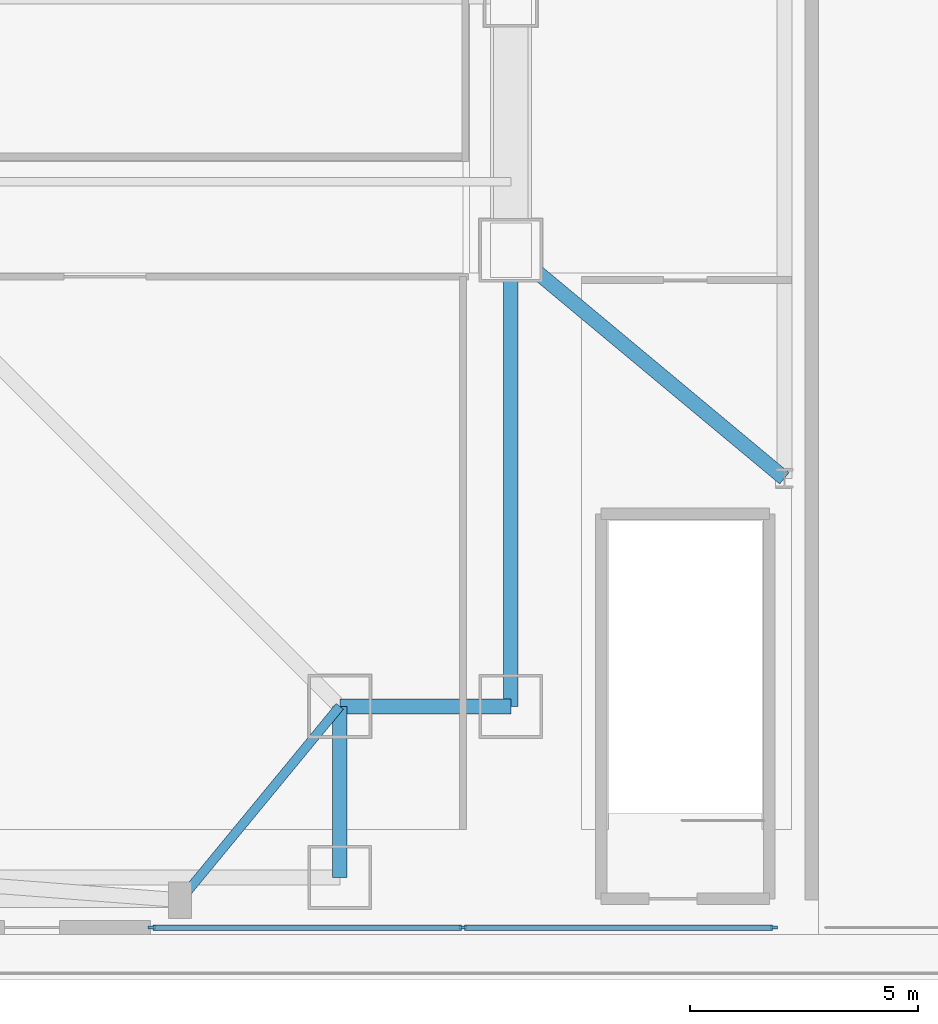
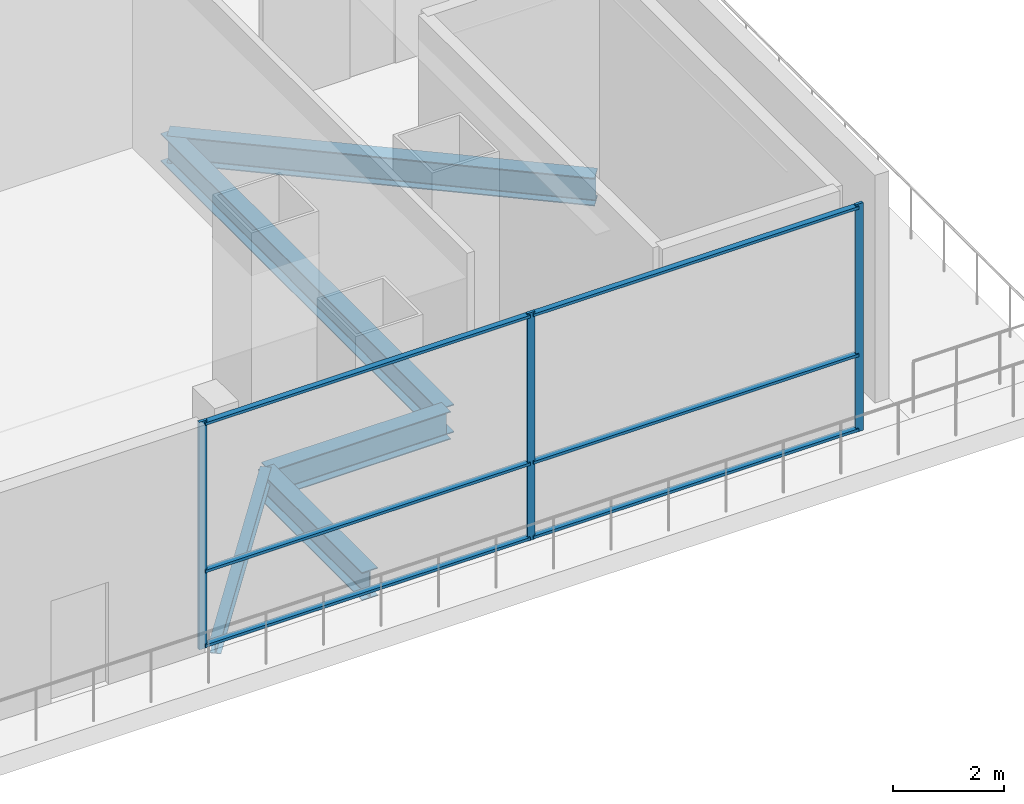
# One storey, part 5 of 21: 9 members, 5 beams, 1 element without a shape of its own.
"""IFC4 building model written with IfcOpenShell, lengths in metres."""

from ifc_helpers import new_model, si_unit, direction, frame, origin, origin_2d, place, context, subcontext, project, spatial, rectangle, i_section, extrude, material, layer, layer_set, material_profile, profile_set, type_object, element, aggregate, save


model = new_model("IFC4")

# Units and contexts
model_context = context("Model", 3, precision=1e-05, world=origin(), true_north=direction((0.0, 1.0)))
body_context = subcontext(model_context, "Body", "Model", "MODEL_VIEW")
ifc_project = project(units=[si_unit("LENGTHUNIT", "METRE"), si_unit("AREAUNIT", "SQUARE_METRE"), si_unit("VOLUMEUNIT", "CUBIC_METRE"), si_unit("PLANEANGLEUNIT", "RADIAN"), si_unit("MASSUNIT", "GRAM", prefix="KILO")], contexts=[model_context])

# Site, building, storey
site_placement = place(None, origin())
site = spatial("IfcSite", under=ifc_project, at=site_placement, CompositionType="ELEMENT")
building_placement = place(site_placement, origin())
building = spatial("IfcBuilding", under=site, at=building_placement, Name="Trevonay Congress Spire", CompositionType="ELEMENT")
storey_placement = place(building_placement, frame((0.0, 0.0, 21.60009765625)))
storey = spatial("IfcBuildingStorey", under=building, at=storey_placement, Name="L04", CompositionType="ELEMENT", Elevation=21.60009765625)

# Beams
ifc_material_1 = material(Name="Steel ASTM A572 Grade 50", Category="steel")
ifc_material_profile_1 = material_profile(ifc_material_1, i_section(OverallWidth=0.324951171875, OverallDepth=0.615966796875, WebThickness=0.013916015625, FlangeThickness=0.021484375, FilletRadius=0.01806640625, at=origin_2d()), Name="W610x174")
ifc_profile_set_1 = profile_set([ifc_material_profile_1], Name="Steel ASTM A572 Grade 50")
beam_type_1 = type_object("IfcBeamType", Name="BM-GIRD-W610X174", PredefinedType="BEAM", material=ifc_profile_set_1)
beam_1_placement = place(storey_placement, frame((19.5, -23.25, -0.7080078125), z_axis=(0.0, 1.0, 0.0), x_axis=(-1.0, 0.0, 0.0)))
element("IfcBeam", 1, at=beam_1_placement, inside=storey, type_object=beam_type_1, Name="L04 structural beam BM-L04-CSE", PredefinedType="BEAM", context=body_context, shape_type="SweptSolid", body=[
    extrude(i_section(OverallWidth=0.324951171875, OverallDepth=0.615966796875, WebThickness=0.013916015625, FlangeThickness=0.021484375, FilletRadius=0.01806640625, at=origin_2d()), origin(), (0.0, 0.0, 1.0), 3.75),
])
beam_2_placement = place(storey_placement, frame((23.25, -19.5, -0.7080078125), z_axis=(0.0, 1.0, 0.0), x_axis=(-1.0, 0.0, 0.0)))
element("IfcBeam", 2, at=beam_2_placement, inside=storey, type_object=beam_type_1, Name="L04 structural beam BM-L04-ME1", PredefinedType="BEAM", context=body_context, shape_type="SweptSolid", body=[
    extrude(i_section(OverallWidth=0.324951171875, OverallDepth=0.615966796875, WebThickness=0.013916015625, FlangeThickness=0.021484375, FilletRadius=0.01806640625, at=origin_2d()), origin(), (0.0, 0.0, 1.0), 10.0),
])
beam_3_placement = place(storey_placement, frame((23.25, -19.5, -0.7080078125), z_axis=(-1.0, 0.0, 0.0), x_axis=(0.0, -1.0, 0.0)))
element("IfcBeam", 3, at=beam_3_placement, inside=storey, type_object=beam_type_1, Name="L04 structural beam BM-L04-CES", PredefinedType="BEAM", context=body_context, shape_type="SweptSolid", body=[
    extrude(i_section(OverallWidth=0.324951171875, OverallDepth=0.615966796875, WebThickness=0.013916015625, FlangeThickness=0.021484375, FilletRadius=0.01806640625, at=origin_2d()), origin(), (0.0, 0.0, 1.0), 3.75),
])
beam_4_placement = place(storey_placement, frame((23.25, -9.5, -0.7080078125), z_axis=(0.768221279597, -0.640184399664, 0.0), x_axis=(0.640184399664, 0.768221279597, 0.0)))
element("IfcBeam", 4, at=beam_4_placement, inside=storey, type_object=beam_type_1, Name="L04 structural beam BM-L04-POD-ET1", PredefinedType="BEAM", context=body_context, shape_type="SweptSolid", body=[
    extrude(i_section(OverallWidth=0.324951171875, OverallDepth=0.615966796875, WebThickness=0.013916015625, FlangeThickness=0.021484375, FilletRadius=0.01806640625, at=origin_2d()), origin(), (0.0, 0.0, 1.0), 7.810302734375),
])

# Curtain wall, members
ifc_material_2 = material(Name="Pale Anodised Aluminium EN AW-6063-T6", Category="aluminium")
ifc_layer = layer(ifc_material_2, 0.179931640625, Name="Pale Anodised Aluminium EN AW-6063-T6")
ifc_layer_set = layer_set([ifc_layer], Name="Pale Anodised Aluminium EN AW-6063-T6")
curtain_wall_type = type_object("IfcCurtainWallType", Name="CW-SYS01-PODIUM-PALE-METAL", PredefinedType="NOTDEFINED", material=ifc_layer_set)
curtain_wall_placement = place(storey_placement, origin())
curtain_wall = element("IfcCurtainWall", 5, at=curtain_wall_placement, inside=storey, type_object=curtain_wall_type, Name="L04 S2 podium curtain wall", PredefinedType="NOTDEFINED")
ifc_material_profile_2 = material_profile(ifc_material_2, rectangle(XDim=0.06005859375, YDim=0.159912109375, at=origin_2d()), Name="CW-MULLION-160-ALUMINIUM")
ifc_profile_set_2 = profile_set([ifc_material_profile_2], Name="Pale Anodised Aluminium EN AW-6063-T6")
member_type_1 = type_object("IfcMemberType", Name="CW-MULLION-160-ALUMINIUM", PredefinedType="MULLION", material=ifc_profile_set_2)
member_1_placement = place(storey_placement, frame((15.3798828125, -24.35009765625, 0.0), z_axis=(0.0, 0.0, 1.0), x_axis=(0.0, 1.0, 0.0)))
member_1 = element("IfcMember", 6, at=member_1_placement, type_object=member_type_1, Name="CW01 mullion 1", PredefinedType="MULLION", context=body_context, shape_type="SweptSolid", body=[
    extrude(rectangle(XDim=0.06005859375, YDim=0.159912109375, at=origin_2d()), origin(), (0.0, 0.0, 1.0), 5.0),
])
member_2_placement = place(storey_placement, frame((22.199951171875, -24.35009765625, 0.0), z_axis=(0.0, 0.0, 1.0), x_axis=(0.0, 1.0, 0.0)))
member_2 = element("IfcMember", 7, at=member_2_placement, type_object=member_type_1, Name="CW01 mullion 2", PredefinedType="MULLION", context=body_context, shape_type="SweptSolid", body=[
    extrude(rectangle(XDim=0.06005859375, YDim=0.159912109375, at=origin_2d()), origin(), (0.0, 0.0, 1.0), 5.0),
])
member_3_placement = place(storey_placement, frame((29.02001953125, -24.35009765625, 0.0), z_axis=(0.0, 0.0, 1.0), x_axis=(0.0, 1.0, 0.0)))
member_3 = element("IfcMember", 8, at=member_3_placement, type_object=member_type_1, Name="CW01 mullion 3", PredefinedType="MULLION", context=body_context, shape_type="SweptSolid", body=[
    extrude(rectangle(XDim=0.06005859375, YDim=0.159912109375, at=origin_2d()), origin(), (0.0, 0.0, 1.0), 5.0),
])
ifc_material_profile_3 = material_profile(ifc_material_2, rectangle(XDim=0.1201171875, YDim=0.06005859375, at=origin_2d()), Name="CW-TRANSOM-120-ALUMINIUM")
ifc_profile_set_3 = profile_set([ifc_material_profile_3], Name="Pale Anodised Aluminium EN AW-6063-T6")
member_type_2 = type_object("IfcMemberType", Name="CW-TRANSOM-120-ALUMINIUM", PredefinedType="USERDEFINED", material=ifc_profile_set_3)
member_4_placement = place(storey_placement, frame((15.409912109375, -24.35009765625, 0.059814453125), z_axis=(1.0, 0.0, 0.0), x_axis=(0.0, 1.0, 0.0)))
member_4 = element("IfcMember", 9, at=member_4_placement, type_object=member_type_2, Name="CW01 transom 1.1", ObjectType="TRANSOM", PredefinedType="USERDEFINED", context=body_context, shape_type="SweptSolid", body=[
    extrude(rectangle(XDim=0.1201171875, YDim=0.06005859375, at=origin_2d()), origin(), (0.0, 0.0, 1.0), 6.760009765625),
])
member_5_placement = place(storey_placement, frame((15.409912109375, -24.35009765625, 1.699951171875), z_axis=(1.0, 0.0, 0.0), x_axis=(0.0, 1.0, 0.0)))
member_5 = element("IfcMember", 10, at=member_5_placement, type_object=member_type_2, Name="CW01 transom 1.2", ObjectType="TRANSOM", PredefinedType="USERDEFINED", context=body_context, shape_type="SweptSolid", body=[
    extrude(rectangle(XDim=0.1201171875, YDim=0.06005859375, at=origin_2d()), origin(), (0.0, 0.0, 1.0), 6.760009765625),
])
member_6_placement = place(storey_placement, frame((15.409912109375, -24.35009765625, 4.93994140625), z_axis=(1.0, 0.0, 0.0), x_axis=(0.0, 1.0, 0.0)))
member_6 = element("IfcMember", 11, at=member_6_placement, type_object=member_type_2, Name="CW01 transom 1.3", ObjectType="TRANSOM", PredefinedType="USERDEFINED", context=body_context, shape_type="SweptSolid", body=[
    extrude(rectangle(XDim=0.1201171875, YDim=0.06005859375, at=origin_2d()), origin(), (0.0, 0.0, 1.0), 6.760009765625),
])
member_7_placement = place(storey_placement, frame((22.22998046875, -24.35009765625, 0.059814453125), z_axis=(1.0, 0.0, 0.0), x_axis=(0.0, 1.0, 0.0)))
member_7 = element("IfcMember", 12, at=member_7_placement, type_object=member_type_2, Name="CW01 transom 2.1", ObjectType="TRANSOM", PredefinedType="USERDEFINED", context=body_context, shape_type="SweptSolid", body=[
    extrude(rectangle(XDim=0.1201171875, YDim=0.06005859375, at=origin_2d()), origin(), (0.0, 0.0, 1.0), 6.760009765625),
])
member_8_placement = place(storey_placement, frame((22.22998046875, -24.35009765625, 1.699951171875), z_axis=(1.0, 0.0, 0.0), x_axis=(0.0, 1.0, 0.0)))
member_8 = element("IfcMember", 13, at=member_8_placement, type_object=member_type_2, Name="CW01 transom 2.2", ObjectType="TRANSOM", PredefinedType="USERDEFINED", context=body_context, shape_type="SweptSolid", body=[
    extrude(rectangle(XDim=0.1201171875, YDim=0.06005859375, at=origin_2d()), origin(), (0.0, 0.0, 1.0), 6.760009765625),
])
member_9_placement = place(storey_placement, frame((22.22998046875, -24.35009765625, 4.93994140625), z_axis=(1.0, 0.0, 0.0), x_axis=(0.0, 1.0, 0.0)))
member_9 = element("IfcMember", 14, at=member_9_placement, type_object=member_type_2, Name="CW01 transom 2.3", ObjectType="TRANSOM", PredefinedType="USERDEFINED", context=body_context, shape_type="SweptSolid", body=[
    extrude(rectangle(XDim=0.1201171875, YDim=0.06005859375, at=origin_2d()), origin(), (0.0, 0.0, 1.0), 6.760009765625),
])
aggregate(curtain_wall, [member_1, member_2, member_3, member_4, member_5, member_6, member_7, member_8, member_9])

# Beam
ifc_material_profile_4 = material_profile(ifc_material_1, i_section(OverallWidth=0.2041015625, OverallDepth=0.305908203125, WebThickness=0.008544921875, FlangeThickness=0.0146484375, FilletRadius=0.010986328125, at=origin_2d()), Name="W310x67")
ifc_profile_set_4 = profile_set([ifc_material_profile_4], Name="Steel ASTM A572 Grade 50")
beam_type_2 = type_object("IfcBeamType", Name="SPB-W310X67", PredefinedType="SPANDREL", material=ifc_profile_set_4)
beam_5_placement = place(storey_placement, frame((16.0, -23.75, -0.552978515625), z_axis=(0.635707252861, 0.771930235617, 0.0), x_axis=(-0.771930235617, 0.635707252861, 0.0)))
element("IfcBeam", 15, at=beam_5_placement, inside=storey, type_object=beam_type_2, Name="L04 structural beam SPB-L04-SE", PredefinedType="SPANDREL", context=body_context, shape_type="SweptSolid", body=[
    extrude(i_section(OverallWidth=0.2041015625, OverallDepth=0.305908203125, WebThickness=0.008544921875, FlangeThickness=0.0146484375, FilletRadius=0.010986328125, at=origin_2d()), origin(), (0.0, 0.0, 1.0), 5.505615234375),
])

save(model, "model.ifc")
